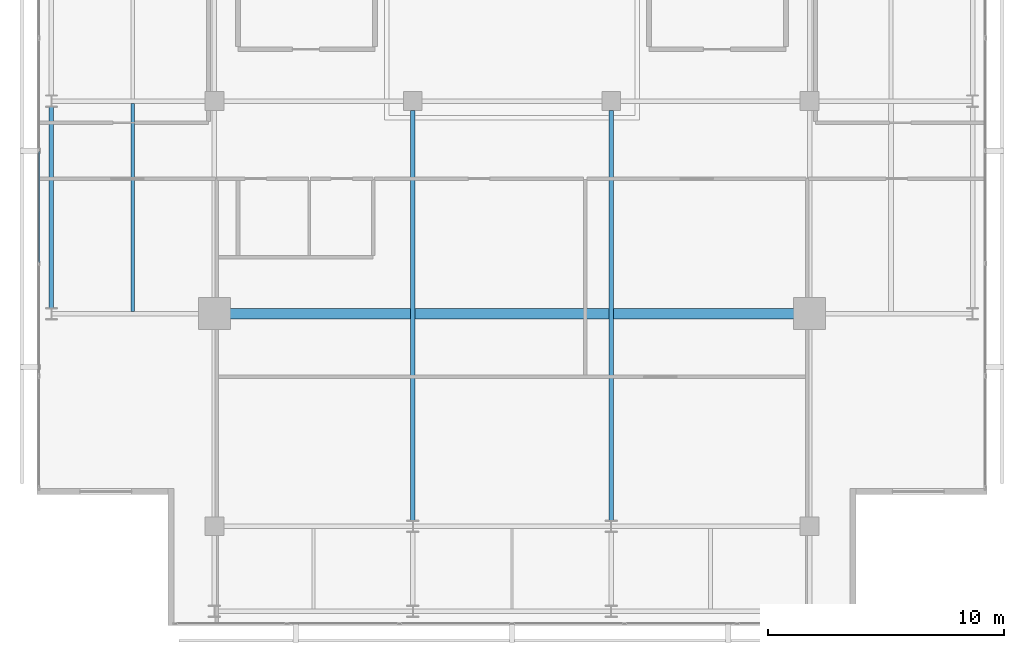
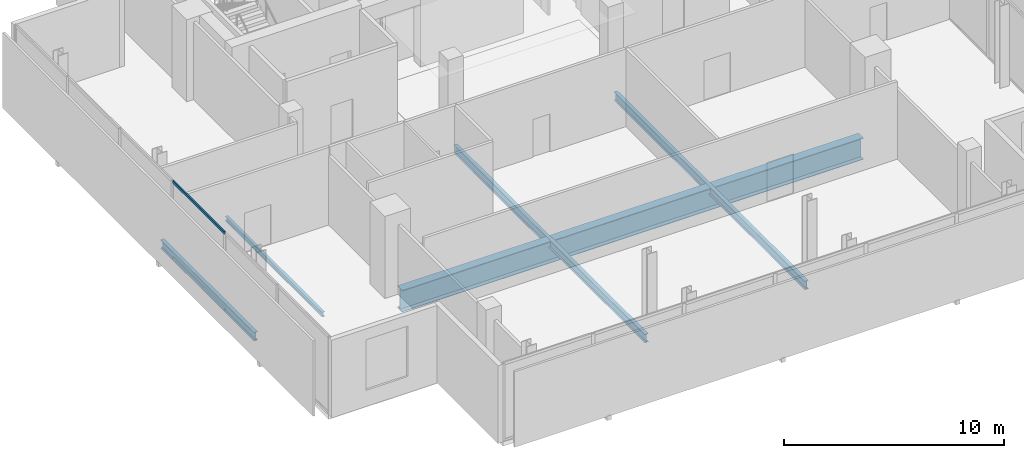
# One storey, part 6 of 23: 5 beams, 2 members, 1 element without a shape of its own.
"""IFC4 building model written with IfcOpenShell, lengths in metres."""

from ifc_helpers import new_model, si_unit, direction, frame, origin, origin_2d, place, context, subcontext, project, spatial, hollow_rectangle, i_section, extrude, material, layer, layer_set, material_profile, profile_set, type_object, element, aggregate, save


model = new_model("IFC4")

# Units and contexts
model_context = context("Model", 3, precision=1e-05, world=origin(), true_north=direction((0.0, 1.0)))
body_context = subcontext(model_context, "Body", "Model", "MODEL_VIEW")
ifc_project = project(units=[si_unit("LENGTHUNIT", "METRE"), si_unit("AREAUNIT", "SQUARE_METRE"), si_unit("VOLUMEUNIT", "CUBIC_METRE"), si_unit("PLANEANGLEUNIT", "RADIAN"), si_unit("MASSUNIT", "GRAM", prefix="KILO")], contexts=[model_context])

# Site, building, storey
site_placement = place(None, origin())
site = spatial("IfcSite", under=ifc_project, at=site_placement, CompositionType="ELEMENT")
building_placement = place(site_placement, origin())
building = spatial("IfcBuilding", under=site, at=building_placement, Name="Maruvema Waterfront Hotel and Observation Tower", CompositionType="ELEMENT")
storey_placement = place(building_placement, frame((0.0, 0.0, 345.10009765625)))
storey = spatial("IfcBuildingStorey", under=building, at=storey_placement, Name="L85", CompositionType="ELEMENT", Elevation=345.10009765625)

# Curtain wall, members
ifc_material_1 = material(Name="Anodised bronze aluminium and solar-control low-E IGU", Category="aluminium")
ifc_layer = layer(ifc_material_1, 0.159912109375, Name="Observation Crown Structural Glazed Curtain Wall System CW-06")
ifc_layer_set = layer_set([ifc_layer], Name="Anodised bronze aluminium and solar-control low-E IGU")
curtain_wall_type = type_object("IfcCurtainWallType", Name="Observation Crown Structural Glazed Curtain Wall System CW-06", PredefinedType="USERDEFINED", material=ifc_layer_set)
curtain_wall_placement = place(storey_placement, origin())
curtain_wall = element("IfcCurtainWall", 1, at=curtain_wall_placement, inside=storey, type_object=curtain_wall_type, Name="L85 Curtain Wall CW-L85-W", ObjectType="UNITISED CURTAIN WALL", PredefinedType="USERDEFINED")
ifc_material_2 = material(Name="Anodised architectural bronze aluminium", Category="aluminium")
ifc_material_profile_1 = material_profile(ifc_material_2, hollow_rectangle(XDim=0.070068359375, YDim=0.14990234375, WallThickness=0.00390625, at=origin_2d()), Name="ALU-T70x150")
ifc_profile_set_1 = profile_set([ifc_material_profile_1], Name="Anodised architectural bronze aluminium")
member_type = type_object("IfcMemberType", Name="Curtain Wall Horizontal Transom ALU-T70x150", PredefinedType="USERDEFINED", material=ifc_profile_set_1)
member_1_placement = place(storey_placement, frame((17.780029296875, 33.8701171875, 0.02978515625), z_axis=(0.0, -1.0, 0.0), x_axis=(1.0, 0.0, 0.0)))
member_1 = element("IfcMember", 2, at=member_1_placement, type_object=member_type, Name="CW-06 transom 4.1", ObjectType="TRANSOM", PredefinedType="USERDEFINED", context=body_context, shape_type="SweptSolid", body=[
    extrude(hollow_rectangle(XDim=0.070068359375, YDim=0.14990234375, WallThickness=0.00390625, at=origin_2d()), origin(), (0.0, 0.0, 1.0), 4.706787109375),
])
member_2_placement = place(storey_placement, frame((17.780029296875, 33.8701171875, 4.27978515625), z_axis=(0.0, -1.0, 0.0), x_axis=(1.0, 0.0, 0.0)))
member_2 = element("IfcMember", 3, at=member_2_placement, type_object=member_type, Name="CW-06 transom 4.2", ObjectType="TRANSOM", PredefinedType="USERDEFINED", context=body_context, shape_type="SweptSolid", body=[
    extrude(hollow_rectangle(XDim=0.070068359375, YDim=0.14990234375, WallThickness=0.00390625, at=origin_2d()), origin(), (0.0, 0.0, 1.0), 4.706787109375),
])
aggregate(curtain_wall, [member_1, member_2])

# Beams
ifc_material_3 = material(Name="Steel ASTM A572 Grade 50", Category="steel")
ifc_material_profile_2 = material_profile(ifc_material_3, i_section(OverallWidth=0.194091796875, OverallDepth=0.468994140625, WebThickness=0.0126953125, FlangeThickness=0.0205078125, FilletRadius=0.014892578125, at=origin_2d()), Name="W460x106.0")
ifc_profile_set_2 = profile_set([ifc_material_profile_2], Name="Steel ASTM A572 Grade 50")
beam_type_1 = type_object("IfcBeamType", Name="Primary Floor Girder W460x106.0", PredefinedType="BEAM", material=ifc_profile_set_2)
beam_1_placement = place(storey_placement, frame((18.300048828125, 27.25, -0.474609375), z_axis=(0.0, 1.0, 0.0), x_axis=(-1.0, 0.0, 0.0)))
element("IfcBeam", 4, at=beam_1_placement, inside=storey, type_object=beam_type_1, Name="L85 Floor Girder NS-01", PredefinedType="BEAM", context=body_context, shape_type="SweptSolid", body=[
    extrude(i_section(OverallWidth=0.194091796875, OverallDepth=0.468994140625, WebThickness=0.0126953125, FlangeThickness=0.0205078125, FilletRadius=0.014892578125, at=origin_2d()), origin(), (0.0, 0.0, 1.0), 8.5),
])
for number, where, z_axis, x_axis, name in (
    (5, (33.60009765625, 18.25, -0.474609375), (0.0, 1.0, 0.0), (-1.0, 0.0, 0.0), "L85 Floor Girder NS-08"),
    (6, (42.0, 18.25, -0.474609375), (0.0, 1.0, 0.0), (-1.0, 0.0, 0.0), "L85 Floor Girder NS-10"),
):
    element("IfcBeam", number, at=place(storey_placement, frame(where, z_axis=z_axis, x_axis=x_axis)), inside=storey, type_object=beam_type_1, Name=name, PredefinedType="BEAM", context=body_context, shape_type="SweptSolid", body=[
        extrude(i_section(OverallWidth=0.194091796875, OverallDepth=0.468994140625, WebThickness=0.0126953125, FlangeThickness=0.0205078125, FilletRadius=0.014892578125, at=origin_2d()), origin(), (0.0, 0.0, 1.0), 17.35009765625),
    ])
ifc_material_4 = material(Name="Steel ASTM A572 Grade 50", Category="steel")
ifc_material_profile_3 = material_profile(ifc_material_4, i_section(OverallWidth=0.14794921875, OverallDepth=0.26611328125, WebThickness=0.007568359375, FlangeThickness=0.012939453125, FilletRadius=0.012939453125, at=origin_2d()), Name="W250x44.8")
ifc_profile_set_3 = profile_set([ifc_material_profile_3], Name="Steel ASTM A572 Grade 50")
beam_type_2 = type_object("IfcBeamType", Name="Secondary Floor Joist W250x44.8", PredefinedType="JOIST", material=ifc_profile_set_3)
beam_2_placement = place(storey_placement, frame((21.75, 27.096923828125, -0.373046875), z_axis=(0.0, 1.0, 0.0), x_axis=(-1.0, 0.0, 0.0)))
element("IfcBeam", 7, at=beam_2_placement, inside=storey, type_object=beam_type_2, Name="L85 Secondary Floor Joist JS-01", PredefinedType="JOIST", context=body_context, shape_type="SweptSolid", body=[
    extrude(i_section(OverallWidth=0.14794921875, OverallDepth=0.26611328125, WebThickness=0.007568359375, FlangeThickness=0.012939453125, FilletRadius=0.012939453125, at=origin_2d()), origin(), (0.0, 0.0, 1.0), 8.80615234375),
])
ifc_material_5 = material(Name="Steel ABNT NBR 7007 AR 415 (ASTM A572 Grade 50)", Category="steel")
ifc_material_profile_4 = material_profile(ifc_material_5, i_section(OverallWidth=0.449951171875, OverallDepth=1.199951171875, WebThickness=0.01904296875, FlangeThickness=0.031982421875, at=origin_2d()), Name="VS1200x366")
ifc_profile_set_4 = profile_set([ifc_material_profile_4], Name="Steel ABNT NBR 7007 AR 415 (ASTM A572 Grade 50)")
beam_type_3 = type_object("IfcBeamType", Name="Upper Setback Transfer Girder VS1200x366", PredefinedType="USERDEFINED", material=ifc_profile_set_4)
beam_3_placement = place(storey_placement, frame((25.699951171875, 27.0, -0.840087890625), z_axis=(1.0, 0.0, 0.0), x_axis=(0.0, 1.0, 0.0)))
element("IfcBeam", 8, at=beam_3_placement, inside=storey, type_object=beam_type_3, Name="L85 Floor Girder EW-08", ObjectType="TRANSFER GIRDER", PredefinedType="USERDEFINED", context=body_context, shape_type="SweptSolid", body=[
    extrude(i_section(OverallWidth=0.449951171875, OverallDepth=1.199951171875, WebThickness=0.01904296875, FlangeThickness=0.031982421875, at=origin_2d()), origin(), (0.0, 0.0, 1.0), 24.199951171875),
])

save(model, "model.ifc")
